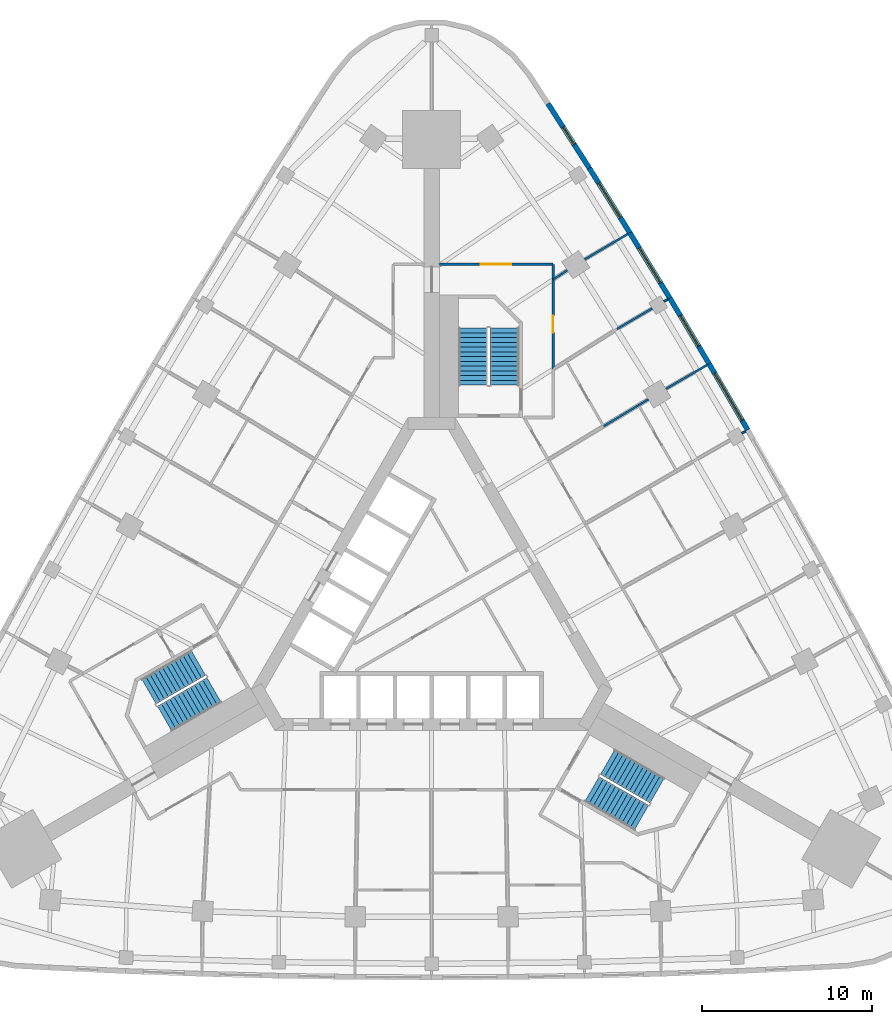
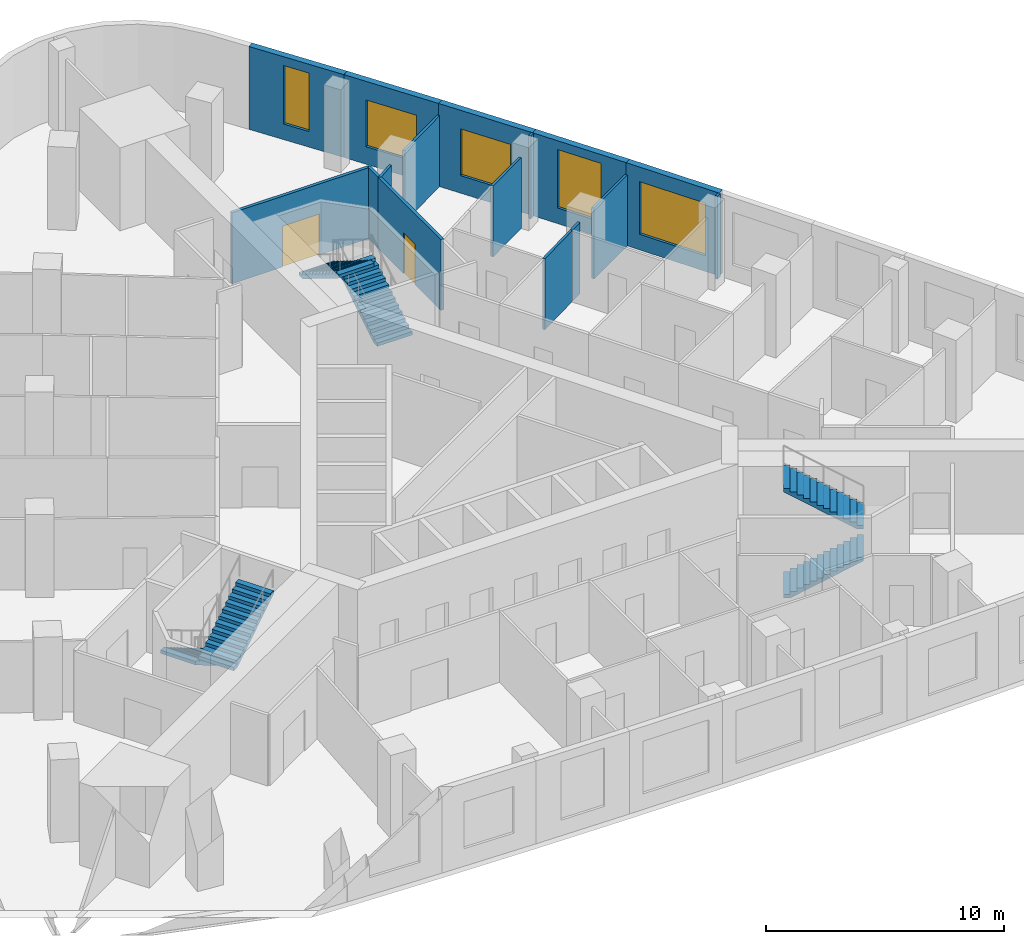
# One storey, part 10 of 11: 16 walls, 6 stair flights, 5 windows, 2 doors, 7 openings, 3 elements without a shape of their own.
"""IFC4 building model written with IfcOpenShell, lengths in metres."""

import ifcopenshell
import ifcopenshell.guid

model = None  # the IFC model being written
_history = None  # IfcOwnerHistory: only IFC2X3 demands one
_inside = {}  # id of a spatial element -> (the spatial element, [elements in it])
_under = {}  # id of a project, library or spatial element -> (it, [spatial elements below it])
_declared = {}  # id of a project -> (the project, [libraries it declares])
_typed = {}  # id of a type object -> (the type object, [elements of that type])
_made_of = {}  # id of a material, layer set ... -> (it, [elements and type objects made of it])


def new_model(schema):
    """Start an empty IFC model of exactly this schema.

    Asked for "IFC4X3", IfcOpenShell would pick the latest addendum, in which some entities
    have other attributes; the version numbers below select the first issue.
    IFC2X3 requires an IfcOwnerHistory on every rooted entity: one is made here for all.
    """
    global model, _history
    if schema == "IFC4X3":
        model = ifcopenshell.file(schema_version=(4, 3, 0, 0))
    else:
        model = ifcopenshell.file(schema=schema)
    _inside.clear()
    _under.clear()
    _declared.clear()
    _typed.clear()
    _made_of.clear()
    _history = None
    if model.schema == "IFC2X3":
        org = make("IfcOrganization", Name="unknown")
        user = make(
            "IfcPersonAndOrganization",
            ThePerson=make("IfcPerson", FamilyName="unknown"),
            TheOrganization=org,
        )
        app = make(
            "IfcApplication",
            ApplicationDeveloper=org,
            Version="unknown",
            ApplicationFullName="unknown",
            ApplicationIdentifier="unknown",
        )
        _history = make(
            "IfcOwnerHistory",
            OwningUser=user,
            OwningApplication=app,
            ChangeAction="ADDED",
            CreationDate=0,
        )
    return model


def make(cls, **values):
    """One entity of the class cls with the attributes given. An attribute that is None is left unset."""
    return model.create_entity(
        cls, **{name: value for name, value in values.items() if value is not None}
    )


def rooted(cls, **values):
    """An entity with a GlobalId (a new one), such as an element, a storey or a relation."""
    return make(cls, GlobalId=ifcopenshell.guid.new(), OwnerHistory=_history, **values)


def si_unit(unit_type, name, prefix=None):
    """IfcSIUnit, for example si_unit("LENGTHUNIT", "METRE", prefix="MILLI")."""
    return make("IfcSIUnit", UnitType=unit_type, Prefix=prefix, Name=name)


def assignment(units):
    """IfcUnitAssignment: the units of a project."""
    return None if units is None else make("IfcUnitAssignment", Units=units)


def point(xyz):
    """IfcCartesianPoint."""
    return None if xyz is None else make("IfcCartesianPoint", Coordinates=xyz)


def direction(xyz):
    """IfcDirection."""
    return None if xyz is None else make("IfcDirection", DirectionRatios=xyz)


def frame(location, z_axis=None, x_axis=None):
    """IfcAxis2Placement3D, a coordinate frame: its origin and axes. An axis left out is left unset."""
    return make(
        "IfcAxis2Placement3D",
        Location=point(location),
        Axis=direction(z_axis),
        RefDirection=direction(x_axis),
    )


def frame_2d(location, x_axis=None):
    """IfcAxis2Placement2D, a coordinate frame in the plane: its origin and x axis."""
    return make(
        "IfcAxis2Placement2D", Location=point(location), RefDirection=direction(x_axis)
    )


def origin():
    """The frame at (0, 0, 0) with its axes left unset."""
    return frame((0.0, 0.0, 0.0))


def place(relative_to, where):
    """IfcLocalPlacement: puts the frame where relative to a parent placement (None: the world)."""
    return make(
        "IfcLocalPlacement", PlacementRelTo=relative_to, RelativePlacement=where
    )


def context(
    kind, dimensions, precision=None, world=None, true_north=None, identifier=None
):
    """IfcGeometricRepresentationContext, for example the 3D "Model" context."""
    return make(
        "IfcGeometricRepresentationContext",
        ContextIdentifier=identifier,
        ContextType=kind,
        CoordinateSpaceDimension=dimensions,
        Precision=precision,
        WorldCoordinateSystem=world,
        TrueNorth=true_north,
    )


def subcontext(parent, identifier, kind, view, scale=None):
    """IfcGeometricRepresentationSubContext, for example "Body" below "Model"."""
    return make(
        "IfcGeometricRepresentationSubContext",
        ContextIdentifier=identifier,
        ContextType=kind,
        ParentContext=parent,
        TargetScale=scale,
        TargetView=view,
    )


def project(units=None, contexts=None):
    """IfcProject with its units and contexts."""
    return rooted(
        "IfcProject",
        Name="project",
        RepresentationContexts=contexts,
        UnitsInContext=assignment(units),
    )


def spatial(cls, under=None, at=None, **own):
    """A site, building, storey or space (cls), placed at a placement, below another one or the project."""
    s = rooted(cls, ObjectPlacement=at, **own)
    if under is not None:
        _under.setdefault(under.id(), (under, []))[1].append(s)
    return s


def polyline(points):
    """IfcPolyline through the points."""
    return make("IfcPolyline", Points=[point(p) for p in points])


def profile(cls, at=None, kind="AREA", **sizes):
    """A parametric profile (cls). Its sizes go by their IFC names, for example OverallWidth=200.0."""
    return make(cls, ProfileType=kind, Position=at, **sizes)


def rectangle(**sizes):
    """IfcRectangleProfileDef."""
    return profile("IfcRectangleProfileDef", **sizes)


def outline(outer, holes=None, kind="AREA"):
    """IfcArbitraryClosedProfileDef: a profile drawn as a closed curve; with holes, ...WithVoids."""
    if holes is None:
        return make("IfcArbitraryClosedProfileDef", ProfileType=kind, OuterCurve=outer)
    return make(
        "IfcArbitraryProfileDefWithVoids",
        ProfileType=kind,
        OuterCurve=outer,
        InnerCurves=holes,
    )


def extrude(swept, where, along, depth):
    """IfcExtrudedAreaSolid: the profile swept, set in the frame where, extruded along a direction by depth."""
    return make(
        "IfcExtrudedAreaSolid",
        SweptArea=swept,
        Position=where,
        ExtrudedDirection=direction(along),
        Depth=depth,
    )


def shape(context_of_items, identifier, shape_type, items):
    """IfcShapeRepresentation: the items that make up one representation, for example the "Body"."""
    return make(
        "IfcShapeRepresentation",
        ContextOfItems=context_of_items,
        RepresentationIdentifier=identifier,
        RepresentationType=shape_type,
        Items=items,
    )


def material(Name=None, Category=None):
    """IfcMaterial."""
    return make("IfcMaterial", Name=Name, Category=Category)


def layer(
    of_material, thickness, ventilated=None, Name=None, Category=None, Priority=None
):
    """IfcMaterialLayer: one layer of a wall or slab, of a material (None: an air gap)."""
    return make(
        "IfcMaterialLayer",
        Material=of_material,
        LayerThickness=thickness,
        IsVentilated=ventilated,
        Name=Name,
        Category=Category,
        Priority=Priority,
    )


def layer_set(layers, Name=None):
    """IfcMaterialLayerSet."""
    return make("IfcMaterialLayerSet", MaterialLayers=layers, LayerSetName=Name)


def made_of(thing, what):
    """Note that an element or type object is made of a material, layer set ...; save() writes the relation."""
    if what is not None:
        _made_of.setdefault(what.id(), (what, []))[1].append(thing)
    return thing


def type_object(cls, material=None, **own):
    """A type object (cls), such as IfcWallType, which elements share."""
    return made_of(rooted(cls, **own), material)


def element(
    cls,
    number,
    at=None,
    inside=None,
    cuts=None,
    type_object=None,
    material=None,
    context=None,
    identifier="Body",
    shape_type=None,
    held_by="IfcProductDefinitionShape",
    body=None,
    shapes=None,
    **own,
):
    """One element of the class cls, such as IfcWall. Its Tag is "e" and its number.

    at: its placement. inside: the storey or other place that contains it. cuts: it is an
    opening in that element (IfcRelVoidsElement). A single representation is given by context,
    identifier, shape_type and body (its items); several are given by shapes. held_by: the class
    of the entity that holds the representations. save() writes the other relations.
    """
    e = rooted(cls, Tag="e%d" % number, ObjectPlacement=at, **own)
    if body is not None:
        shapes = [shape(context, identifier, shape_type, body)]
    if shapes is not None:
        e.Representation = make(held_by, Representations=shapes)
    if inside is not None:
        _inside.setdefault(inside.id(), (inside, []))[1].append(e)
    if cuts is not None:
        rooted(
            "IfcRelVoidsElement", RelatingBuildingElement=cuts, RelatedOpeningElement=e
        )
    if type_object is not None:
        _typed.setdefault(type_object.id(), (type_object, []))[1].append(e)
    return made_of(e, material)


def fill(opening, filler):
    """IfcRelFillsElement: the door or window that sits in an opening."""
    return rooted(
        "IfcRelFillsElement",
        RelatingOpeningElement=opening,
        RelatedBuildingElement=filler,
    )


def aggregate(whole, parts):
    """IfcRelAggregates: a whole, such as a stair, and the parts it consists of."""
    return rooted("IfcRelAggregates", RelatingObject=whole, RelatedObjects=parts)


def save(model, path):
    """Write the relations noted so far, then the file.

    IfcRelAggregates (storeys below a building ...), IfcRelContainedInSpatialStructure (elements
    in a storey), IfcRelDefinesByType, IfcRelAssociatesMaterial and IfcRelDeclares: one each for
    every whole, place, type object, material and project.
    """
    for whole, parts in _under.values():
        aggregate(whole, parts)
    for where, things in _inside.values():
        rooted(
            "IfcRelContainedInSpatialStructure",
            RelatedElements=things,
            RelatingStructure=where,
        )
    for kind, things in _typed.values():
        rooted("IfcRelDefinesByType", RelatedObjects=things, RelatingType=kind)
    for what, things in _made_of.values():
        rooted("IfcRelAssociatesMaterial", RelatedObjects=things, RelatingMaterial=what)
    for by, libraries in _declared.values():
        rooted("IfcRelDeclares", RelatingContext=by, RelatedDefinitions=libraries)
    model.write(path)


model = new_model("IFC4")

# Units and contexts
model_context = context("Model", 3, precision=1e-05, world=origin(), true_north=direction((0.0, 1.0)))
body_context = subcontext(model_context, "Body", "Model", "MODEL_VIEW")
ifc_project = project(units=[si_unit("LENGTHUNIT", "METRE"), si_unit("AREAUNIT", "SQUARE_METRE"), si_unit("VOLUMEUNIT", "CUBIC_METRE"), si_unit("PLANEANGLEUNIT", "RADIAN"), si_unit("MASSUNIT", "GRAM", prefix="KILO")], contexts=[model_context])

# Site, building, storey
site_placement = place(None, origin())
site = spatial("IfcSite", under=ifc_project, at=site_placement, CompositionType="ELEMENT")
building_placement = place(site_placement, origin())
building = spatial("IfcBuilding", under=site, at=building_placement, Name="Noor Cloister Tower", CompositionType="ELEMENT")
storey_placement = place(building_placement, frame((0.0, 0.0, 10.5)))
storey = spatial("IfcBuildingStorey", under=building, at=storey_placement, Name="L02", CompositionType="ELEMENT", Elevation=10.5)

# Wall, opening, door
ifc_material_1 = material(Name="Plasterboard on steel studs", Category="steel")
ifc_layer_1 = layer(ifc_material_1, 0.14990234375)
ifc_layer_set_1 = layer_set([ifc_layer_1], Name="Corridor wall 150")
wall_type_1 = type_object("IfcWallType", Name="Corridor wall 150", PredefinedType="PARTITIONING", material=ifc_layer_set_1)
wall_1_placement = place(storey_placement, frame((7.135986328125, 14.297119140625, 0.0), z_axis=(0.0, 0.0, 1.0), x_axis=(0.0, 1.0, 0.0)))
wall_1 = element("IfcWall", 1, at=wall_1_placement, inside=storey, type_object=wall_type_1, Name="Partition", PredefinedType="PARTITIONING", context=body_context, shape_type="SweptSolid", body=[
    extrude(rectangle(XDim=5.265869140625, YDim=0.14990234375, at=frame_2d((2.6328125, 0.0))), origin(), (0.0, 0.0, 1.0), 3.637939453125),
])
opening_1_placement = place(wall_1_placement, frame((2.14990234375, 0.0, 0.0)))
opening_1 = element("IfcOpeningElement", 2, at=opening_1_placement, cuts=wall_1, Name="Opening L02-030", PredefinedType="OPENING", context=body_context, shape_type="SweptSolid", body=[
    extrude(rectangle(XDim=1.0, YDim=2.10009765625, at=frame_2d((0.5, 1.050048828125))), frame((0.0, 0.0849609375, 0.0), z_axis=(0.0, -1.0, 0.0), x_axis=(1.0, 0.0, 0.0)), (0.0, 0.0, 1.0), 0.169921875),
])
ifc_material_2 = material(Name="Timber door leaf", Category="wood")
door_type_1 = type_object("IfcDoorType", Name="Clinic room door 1000", OperationType="SINGLE_SWING_LEFT", PredefinedType="DOOR", material=ifc_material_2)
door_1_placement = place(opening_1_placement, origin())
door_1 = element("IfcDoor", 3, at=door_1_placement, inside=storey, type_object=door_type_1, Name="Door L02-030", OperationType="SINGLE_SWING_LEFT", OverallHeight=2.10009765625, OverallWidth=1.0, PredefinedType="DOOR", context=body_context, shape_type="SweptSolid", body=[
    extrude(rectangle(XDim=1.0, YDim=2.10009765625, at=frame_2d((0.5, 1.050048828125))), frame((0.0, 0.02490234375, 0.0), z_axis=(0.0, -1.0, 0.0), x_axis=(1.0, 0.0, 0.0)), (0.0, 0.0, 1.0), 0.050048828125),
])
fill(opening_1, door_1)

# Wall
ifc_material_3 = material(Name="Plasterboard on steel studs", Category="steel")
ifc_layer_2 = layer(ifc_material_3, 0.14990234375)
ifc_layer_set_2 = layer_set([ifc_layer_2], Name="Corridor wall 150 EI 60")
wall_type_2 = type_object("IfcWallType", Name="Corridor wall 150 EI 60", PredefinedType="PARTITIONING", material=ifc_layer_set_2)
wall_2_placement = place(storey_placement, frame((7.135986328125, 19.56298828125, 0.0), z_axis=(0.0, 0.0, 1.0), x_axis=(0.0, 1.0, 0.0)))
element("IfcWall", 4, at=wall_2_placement, inside=storey, type_object=wall_type_2, Name="Partition", PredefinedType="PARTITIONING", context=body_context, shape_type="SweptSolid", body=[
    extrude(rectangle(XDim=0.89306640625, YDim=0.14990234375, at=frame_2d((0.446533203125, 0.0))), origin(), (0.0, 0.0, 1.0), 3.637939453125),
])

# Wall, opening, door
wall_3_placement = place(storey_placement, frame((7.135986328125, 20.4560546875, 0.0), z_axis=(0.0, 0.0, 1.0), x_axis=(-1.0, 0.0, 0.0)))
wall_3 = element("IfcWall", 5, at=wall_3_placement, inside=storey, type_object=wall_type_2, Name="Partition", PredefinedType="PARTITIONING", context=body_context, shape_type="SweptSolid", body=[
    extrude(rectangle(XDim=6.68603515625, YDim=0.14990234375, at=frame_2d((3.343017578125, 0.0))), origin(), (0.0, 0.0, 1.0), 3.637939453125),
])
opening_2_placement = place(wall_3_placement, frame((2.449951171875, 0.0, 0.0)))
opening_2 = element("IfcOpeningElement", 6, at=opening_2_placement, cuts=wall_3, Name="Opening L02-032", PredefinedType="OPENING", context=body_context, shape_type="SweptSolid", body=[
    extrude(rectangle(XDim=1.800048828125, YDim=2.10009765625, at=frame_2d((0.89990234375, 1.050048828125))), frame((0.0, 0.0849609375, 0.0), z_axis=(0.0, -1.0, 0.0), x_axis=(1.0, 0.0, 0.0)), (0.0, 0.0, 1.0), 0.169921875),
])
ifc_material_4 = material(Name="Timber door leaf", Category="wood")
door_type_2 = type_object("IfcDoorType", Name="Double leaf door 1800 FD60", OperationType="DOUBLE_DOOR_SINGLE_SWING", PredefinedType="DOOR", material=ifc_material_4)
door_2_placement = place(opening_2_placement, origin())
door_2 = element("IfcDoor", 7, at=door_2_placement, inside=storey, type_object=door_type_2, Name="Door L02-032", OperationType="DOUBLE_DOOR_SINGLE_SWING", OverallHeight=2.10009765625, OverallWidth=1.800048828125, PredefinedType="DOOR", context=body_context, shape_type="SweptSolid", body=[
    extrude(rectangle(XDim=1.800048828125, YDim=2.10009765625, at=frame_2d((0.89990234375, 1.050048828125))), frame((0.0, 0.02490234375, 0.0), z_axis=(0.0, -1.0, 0.0), x_axis=(1.0, 0.0, 0.0)), (0.0, 0.0, 1.0), 0.050048828125),
])
fill(opening_2, door_2)

# Wall, opening, window
ifc_material_5 = material(Name="Limestone", Category="masonry")
ifc_layer_3 = layer(ifc_material_5, 0.300048828125)
ifc_layer_set_3 = layer_set([ifc_layer_3], Name="Limestone panel wall 300")
wall_type_3 = type_object("IfcWallType", Name="Limestone panel wall 300", PredefinedType="NOTDEFINED", material=ifc_layer_set_3)
wall_4_placement = place(storey_placement, frame((16.31396484375, 14.61181640625, 0.0), z_axis=(0.0, 0.0, 1.0), x_axis=(0.50445499627, -0.86343798662, 0.0)))
wall_4 = element("IfcWall", 8, at=wall_4_placement, inside=storey, type_object=wall_type_3, Name="Limestone wall L02 NE 6", PredefinedType="NOTDEFINED", context=body_context, shape_type="SweptSolid", body=[
    extrude(rectangle(XDim=4.49609375, YDim=0.300048828125, at=frame_2d((2.248046875, 0.0))), origin(), (0.0, 0.0, 1.0), 4.25),
])
opening_3_placement = place(wall_4_placement, frame((0.64794921875, 0.0, 0.800048828125)))
opening_3 = element("IfcOpeningElement", 9, at=opening_3_placement, cuts=wall_4, Name="Opening L02-W26", PredefinedType="OPENING", context=body_context, shape_type="SweptSolid", body=[
    extrude(rectangle(XDim=3.199951171875, YDim=2.699951171875, at=frame_2d((1.60009765625, 1.35009765625))), frame((0.0, 0.16015625, 0.0), z_axis=(0.0, -1.0, 0.0), x_axis=(1.0, 0.0, 0.0)), (0.0, 0.0, 1.0), 0.320068359375),
])
ifc_material_6 = material(Name="Aluminium 6063-T6 anodised", Category="aluminium")
window_type_1 = type_object("IfcWindowType", Name="Waiting room window 3200 x 2700", PartitioningType="TRIPLE_PANEL_VERTICAL", PredefinedType="WINDOW", material=ifc_material_6)
window_1_placement = place(opening_3_placement, origin())
window_1 = element("IfcWindow", 10, at=window_1_placement, inside=storey, type_object=window_type_1, Name="Window L02 26", OverallHeight=2.699951171875, OverallWidth=3.199951171875, PartitioningType="TRIPLE_PANEL_VERTICAL", PredefinedType="WINDOW", context=body_context, shape_type="SweptSolid", body=[
    extrude(rectangle(XDim=3.199951171875, YDim=2.699951171875, at=frame_2d((1.60009765625, 1.35009765625))), frame((0.0, 0.030029296875, 0.0), z_axis=(0.0, -1.0, 0.0), x_axis=(1.0, 0.0, 0.0)), (0.0, 0.0, 1.0), 0.06005859375),
])
fill(opening_3, window_1)

wall_5_placement = place(storey_placement, frame((14.005126953125, 18.472412109375, 0.0), z_axis=(0.0, 0.0, 1.0), x_axis=(0.513257465408, -0.858234684805, 0.0)))
wall_5 = element("IfcWall", 11, at=wall_5_placement, inside=storey, type_object=wall_type_3, Name="Limestone wall L02 NE 7", PredefinedType="NOTDEFINED", context=body_context, shape_type="SweptSolid", body=[
    extrude(rectangle(XDim=4.49609375, YDim=0.300048828125, at=frame_2d((2.248046875, 0.0))), origin(), (0.0, 0.0, 1.0), 4.25),
])
opening_4_placement = place(wall_5_placement, frame((1.197998046875, 0.0, 0.800048828125)))
opening_4 = element("IfcOpeningElement", 12, at=opening_4_placement, cuts=wall_5, Name="Opening L02-W27", PredefinedType="OPENING", context=body_context, shape_type="SweptSolid", body=[
    extrude(rectangle(XDim=2.10009765625, YDim=3.0, at=frame_2d((1.050048828125, 1.5))), frame((0.0, 0.16015625, 0.0), z_axis=(0.0, -1.0, 0.0), x_axis=(1.0, 0.0, 0.0)), (0.0, 0.0, 1.0), 0.320068359375),
])
ifc_material_7 = material(Name="Aluminium 6063-T6 anodised", Category="aluminium")
window_type_2 = type_object("IfcWindowType", Name="Therapy window 2100 x 3000", PartitioningType="DOUBLE_PANEL_HORIZONTAL", PredefinedType="WINDOW", material=ifc_material_7)
window_2_placement = place(opening_4_placement, origin())
window_2 = element("IfcWindow", 13, at=window_2_placement, inside=storey, type_object=window_type_2, Name="Window L02 27", OverallHeight=3.0, OverallWidth=2.10009765625, PartitioningType="DOUBLE_PANEL_HORIZONTAL", PredefinedType="WINDOW", context=body_context, shape_type="SweptSolid", body=[
    extrude(rectangle(XDim=2.10009765625, YDim=3.0, at=frame_2d((1.050048828125, 1.5))), frame((0.0, 0.030029296875, 0.0), z_axis=(0.0, -1.0, 0.0), x_axis=(1.0, 0.0, 0.0)), (0.0, 0.0, 1.0), 0.06005859375),
])
fill(opening_4, window_2)

wall_6_placement = place(storey_placement, frame((11.656494140625, 22.30908203125, 0.0), z_axis=(0.0, 0.0, 1.0), x_axis=(0.522078085402, -0.852897691838, 0.0)))
wall_6 = element("IfcWall", 14, at=wall_6_placement, inside=storey, type_object=wall_type_3, Name="Limestone wall L02 NE 8", PredefinedType="NOTDEFINED", context=body_context, shape_type="SweptSolid", body=[
    extrude(rectangle(XDim=4.495849609375, YDim=0.300048828125, at=frame_2d((2.248046875, 0.0))), origin(), (0.0, 0.0, 1.0), 4.25),
])
opening_5_placement = place(wall_6_placement, frame((1.048095703125, 0.0, 0.89990234375)))
opening_5 = element("IfcOpeningElement", 15, at=opening_5_placement, cuts=wall_6, Name="Opening L02-W28", PredefinedType="OPENING", context=body_context, shape_type="SweptSolid", body=[
    extrude(rectangle(XDim=2.39990234375, YDim=2.39990234375, at=frame_2d((1.199951171875, 1.199951171875))), frame((0.0, 0.16015625, 0.0), z_axis=(0.0, -1.0, 0.0), x_axis=(1.0, 0.0, 0.0)), (0.0, 0.0, 1.0), 0.320068359375),
])
ifc_material_8 = material(Name="Aluminium 6063-T6 anodised", Category="aluminium")
window_type_3 = type_object("IfcWindowType", Name="Clinic window 2400 x 2400", PartitioningType="DOUBLE_PANEL_VERTICAL", PredefinedType="WINDOW", material=ifc_material_8)
window_3_placement = place(opening_5_placement, origin())
window_3 = element("IfcWindow", 16, at=window_3_placement, inside=storey, type_object=window_type_3, Name="Window L02 28", OverallHeight=2.39990234375, OverallWidth=2.39990234375, PartitioningType="DOUBLE_PANEL_VERTICAL", PredefinedType="WINDOW", context=body_context, shape_type="SweptSolid", body=[
    extrude(rectangle(XDim=2.39990234375, YDim=2.39990234375, at=frame_2d((1.199951171875, 1.199951171875))), frame((0.0, 0.030029296875, 0.0), z_axis=(0.0, -1.0, 0.0), x_axis=(1.0, 0.0, 0.0)), (0.0, 0.0, 1.0), 0.06005859375),
])
fill(opening_5, window_3)

wall_7_placement = place(storey_placement, frame((9.268798828125, 26.12158203125, 0.0), z_axis=(0.0, 0.0, 1.0), x_axis=(0.530804082031, -0.847494558389, 0.0)))
wall_7 = element("IfcWall", 17, at=wall_7_placement, inside=storey, type_object=wall_type_3, Name="Limestone wall L02 NE 9", PredefinedType="NOTDEFINED", context=body_context, shape_type="SweptSolid", body=[
    extrude(rectangle(XDim=4.495849609375, YDim=0.300048828125, at=frame_2d((2.248046875, 0.0))), origin(), (0.0, 0.0, 1.0), 4.25),
])
opening_6_placement = place(wall_7_placement, frame((1.048095703125, 0.0, 0.89990234375)))
opening_6 = element("IfcOpeningElement", 18, at=opening_6_placement, cuts=wall_7, Name="Opening L02-W29", PredefinedType="OPENING", context=body_context, shape_type="SweptSolid", body=[
    extrude(rectangle(XDim=2.39990234375, YDim=2.39990234375, at=frame_2d((1.199951171875, 1.199951171875))), frame((0.0, 0.16015625, 0.0), z_axis=(0.0, -1.0, 0.0), x_axis=(1.0, 0.0, 0.0)), (0.0, 0.0, 1.0), 0.320068359375),
])
window_4_placement = place(opening_6_placement, origin())
window_4 = element("IfcWindow", 19, at=window_4_placement, inside=storey, type_object=window_type_3, Name="Window L02 29", OverallHeight=2.39990234375, OverallWidth=2.39990234375, PartitioningType="DOUBLE_PANEL_VERTICAL", PredefinedType="WINDOW", context=body_context, shape_type="SweptSolid", body=[
    extrude(rectangle(XDim=2.39990234375, YDim=2.39990234375, at=frame_2d((1.199951171875, 1.199951171875))), frame((0.0, 0.030029296875, 0.0), z_axis=(0.0, -1.0, 0.0), x_axis=(1.0, 0.0, 0.0)), (0.0, 0.0, 1.0), 0.06005859375),
])
fill(opening_6, window_4)

wall_8_placement = place(storey_placement, frame((6.842041015625, 29.9091796875, 0.0), z_axis=(0.0, 0.0, 1.0), x_axis=(0.539483537275, -0.841996147859, 0.0)))
wall_8 = element("IfcWall", 20, at=wall_8_placement, inside=storey, type_object=wall_type_3, Name="Limestone wall L02 NE 10", PredefinedType="NOTDEFINED", context=body_context, shape_type="SweptSolid", body=[
    extrude(rectangle(XDim=4.49609375, YDim=0.300048828125, at=frame_2d((2.248046875, 0.0))), origin(), (0.0, 0.0, 1.0), 4.25),
])
opening_7_placement = place(wall_8_placement, frame((1.64794921875, 0.0, 0.800048828125)))
opening_7 = element("IfcOpeningElement", 21, at=opening_7_placement, cuts=wall_8, Name="Opening L02-W30", PredefinedType="OPENING", context=body_context, shape_type="SweptSolid", body=[
    extrude(rectangle(XDim=1.199951171875, YDim=3.0, at=frame_2d((0.60009765625, 1.5))), frame((0.0, 0.16015625, 0.0), z_axis=(0.0, -1.0, 0.0), x_axis=(1.0, 0.0, 0.0)), (0.0, 0.0, 1.0), 0.320068359375),
])
ifc_material_9 = material(Name="Aluminium 6063-T6 anodised", Category="aluminium")
window_type_4 = type_object("IfcWindowType", Name="Lancet window 1200 x 3000", PartitioningType="SINGLE_PANEL", PredefinedType="WINDOW", material=ifc_material_9)
window_5_placement = place(opening_7_placement, origin())
window_5 = element("IfcWindow", 22, at=window_5_placement, inside=storey, type_object=window_type_4, Name="Window L02 30", OverallHeight=3.0, OverallWidth=1.199951171875, PartitioningType="SINGLE_PANEL", PredefinedType="WINDOW", context=body_context, shape_type="SweptSolid", body=[
    extrude(rectangle(XDim=1.199951171875, YDim=3.0, at=frame_2d((0.60009765625, 1.5))), frame((0.0, 0.030029296875, 0.0), z_axis=(0.0, -1.0, 0.0), x_axis=(1.0, 0.0, 0.0)), (0.0, 0.0, 1.0), 0.06005859375),
])
fill(opening_7, window_5)

# Walls
ifc_material_10 = material(Name="Plasterboard on steel studs", Category="steel")
ifc_layer_4 = layer(ifc_material_10, 0.1201171875)
ifc_layer_set_4 = layer_set([ifc_layer_4], Name="Partition wall 120")
wall_type_4 = type_object("IfcWallType", Name="Partition wall 120", PredefinedType="PARTITIONING", material=ifc_layer_set_4)
wall_9_placement = place(storey_placement, frame((18.4541015625, 10.653076171875, 0.0), z_axis=(0.0, 0.0, 1.0), x_axis=(-0.866558586415, -0.499075361355, 0.0)))
element("IfcWall", 23, at=wall_9_placement, inside=storey, type_object=wall_type_4, Name="Partition", PredefinedType="PARTITIONING", context=body_context, shape_type="SweptSolid", body=[
    extrude(rectangle(XDim=0.25048828125, YDim=0.1201171875, at=frame_2d((0.125244140625, 0.0))), origin(), (0.0, 0.0, 1.0), 4.25),
])
wall_10_placement = place(storey_placement, frame((12.1669921875, 12.180908203125, 0.0), z_axis=(0.0, 0.0, 1.0), x_axis=(-0.856602650019, -0.515976646739, 0.0)))
element("IfcWall", 24, at=wall_10_placement, inside=storey, type_object=wall_type_4, Name="Partition", PredefinedType="PARTITIONING", context=body_context, shape_type="SweptSolid", body=[
    extrude(rectangle(XDim=2.39892578125, YDim=0.1201171875, at=frame_2d((1.199462890625, 0.0))), origin(), (0.0, 0.0, 1.0), 3.637939453125),
])
wall_11_placement = place(storey_placement, frame((12.736083984375, 12.52392578125, 0.0), z_axis=(0.0, 0.0, 1.0), x_axis=(-0.856453764076, -0.516223740252, 0.0)))
element("IfcWall", 25, at=wall_11_placement, inside=storey, type_object=wall_type_4, Name="Partition", PredefinedType="PARTITIONING", context=body_context, shape_type="SweptSolid", body=[
    extrude(rectangle(XDim=0.66455078125, YDim=0.1201171875, at=frame_2d((0.332275390625, 0.0))), origin(), (0.0, 0.0, 1.0), 3.637939453125),
])
wall_12_placement = place(storey_placement, frame((16.18310546875, 14.5380859375, 0.0), z_axis=(0.0, 0.0, 1.0), x_axis=(-0.864576979504, -0.50250039454, 0.0)))
element("IfcWall", 26, at=wall_12_placement, inside=storey, type_object=wall_type_4, Name="Partition", PredefinedType="PARTITIONING", context=body_context, shape_type="SweptSolid", body=[
    extrude(rectangle(XDim=2.792236328125, YDim=0.1201171875, at=frame_2d((1.39599609375, 0.0))), origin(), (0.0, 0.0, 1.0), 3.633056640625),
])
wall_13_placement = place(storey_placement, frame((12.968017578125, 17.868896484375, 0.0), z_axis=(0.0, 0.0, 1.0), x_axis=(-0.863161652457, -0.504927679701, 0.0)))
element("IfcWall", 27, at=wall_13_placement, inside=storey, type_object=wall_type_4, Name="Partition", PredefinedType="PARTITIONING", context=body_context, shape_type="SweptSolid", body=[
    extrude(rectangle(XDim=2.398193359375, YDim=0.1201171875, at=frame_2d((1.19921875, 0.0))), origin(), (0.0, 0.0, 1.0), 3.637939453125),
])
wall_14_placement = place(storey_placement, frame((13.8740234375, 18.39892578125, 0.0), z_axis=(0.0, 0.0, 1.0), x_axis=(-0.863885093979, -0.503688936151, 0.0)))
element("IfcWall", 28, at=wall_14_placement, inside=storey, type_object=wall_type_4, Name="Partition", PredefinedType="PARTITIONING", context=body_context, shape_type="SweptSolid", body=[
    extrude(rectangle(XDim=0.25, YDim=0.1201171875, at=frame_2d((0.125, 0.0))), origin(), (0.0, 0.0, 1.0), 4.25),
])
ifc_material_11 = material(Name="Plasterboard on steel studs", Category="steel")
ifc_layer_5 = layer(ifc_material_11, 0.1201171875)
ifc_layer_set_5 = layer_set([ifc_layer_5], Name="Partition wall 120 EI 60")
wall_type_5 = type_object("IfcWallType", Name="Partition wall 120 EI 60", PredefinedType="PARTITIONING", material=ifc_layer_set_5)
wall_15_placement = place(storey_placement, frame((7.972900390625, 20.10888671875, 0.0), z_axis=(0.0, 0.0, 1.0), x_axis=(-0.836986858992, -0.547222987341, 0.0)))
element("IfcWall", 29, at=wall_15_placement, inside=storey, type_object=wall_type_5, Name="Partition", PredefinedType="PARTITIONING", context=body_context, shape_type="SweptSolid", body=[
    extrude(rectangle(XDim=0.99755859375, YDim=0.1201171875, at=frame_2d((0.498779296875, 0.0))), origin(), (0.0, 0.0, 1.0), 3.637939453125),
])
wall_16_placement = place(storey_placement, frame((11.52392578125, 22.237060546875, 0.0), z_axis=(0.0, 0.0, 1.0), x_axis=(-0.861228913487, -0.508217235613, 0.0)))
element("IfcWall", 30, at=wall_16_placement, inside=storey, type_object=wall_type_5, Name="Partition", PredefinedType="PARTITIONING", context=body_context, shape_type="SweptSolid", body=[
    extrude(rectangle(XDim=2.93994140625, YDim=0.1201171875, at=frame_2d((1.469970703125, 0.0))), origin(), (0.0, 0.0, 1.0), 3.633056640625),
])

# Stair, stair flights
ifc_material_12 = material(Name="Concrete C40/50", Category="concrete")
stair_type = type_object("IfcStairType", Name="Exit stair 26 risers", PredefinedType="HALF_TURN_STAIR", material=ifc_material_12)
stair_1_placement = place(storey_placement, origin())
stair_1 = element("IfcStair", 31, at=stair_1_placement, inside=storey, type_object=stair_type, Name="Exit stair ST1 L02", PredefinedType="HALF_TURN_STAIR")
ifc_material_13 = material(Name="Concrete C40/50", Category="concrete")
stair_flight_type = type_object("IfcStairFlightType", Name="Exit stair flight", PredefinedType="STRAIGHT", material=ifc_material_13)
stair_flight_1_placement = place(storey_placement, frame((4.28564453125, 13.3564453125, 0.0), z_axis=(0.0, 0.0, 1.0), x_axis=(0.0, 1.0, 0.0)))
stair_flight_1 = element("IfcStairFlight", 32, at=stair_flight_1_placement, type_object=stair_flight_type, Name="ST1 flight 1", NumberOfRisers=13, NumberOfTreads=12, PredefinedType="STRAIGHT", RiserHeight=0.173076923, TreadLength=0.28, context=body_context, shape_type="SweptSolid", body=[
    extrude(outline(polyline([(0.0, 0.0), (0.0, 0.173095703125), (0.280029296875, 0.173095703125), (0.280029296875, 0.34619140625), (0.56005859375, 0.34619140625), (0.56005859375, 0.519287109375), (0.840087890625, 0.519287109375), (0.840087890625, 0.6923828125), (1.1201171875, 0.6923828125), (1.1201171875, 0.865478515625), (1.39990234375, 0.865478515625), (1.39990234375, 1.03857421875), (1.679931640625, 1.03857421875), (1.679931640625, 1.21142578125), (1.9599609375, 1.21142578125), (1.9599609375, 1.384521484375), (2.239990234375, 1.384521484375), (2.239990234375, 1.5576171875), (2.52001953125, 1.5576171875), (2.52001953125, 1.730712890625), (2.800048828125, 1.730712890625), (2.800048828125, 1.90380859375), (3.080078125, 1.90380859375), (3.080078125, 2.076904296875), (3.360107421875, 2.076904296875), (3.360107421875, 2.25), (3.360107421875, 1.900634765625), (0.28515625, 0.0), (0.0, 0.0)])), frame((0.0, 0.85009765625, 0.0), z_axis=(0.0, -1.0, 0.0), x_axis=(1.0, 0.0, 0.0)), (0.0, 0.0, 1.0), 1.699951171875),
])
stair_flight_2_placement = place(storey_placement, frame((2.435546875, 16.71630859375, 2.25), z_axis=(0.0, 0.0, 1.0), x_axis=(0.0, -1.0, 0.0)))
stair_flight_2 = element("IfcStairFlight", 33, at=stair_flight_2_placement, type_object=stair_flight_type, Name="ST1 flight 2", NumberOfRisers=13, NumberOfTreads=12, PredefinedType="STRAIGHT", RiserHeight=0.173076923, TreadLength=0.28, context=body_context, shape_type="SweptSolid", body=[
    extrude(outline(polyline([(0.0, 0.0), (0.0, 0.173095703125), (0.280029296875, 0.173095703125), (0.280029296875, 0.34619140625), (0.56005859375, 0.34619140625), (0.56005859375, 0.519287109375), (0.840087890625, 0.519287109375), (0.840087890625, 0.6923828125), (1.1201171875, 0.6923828125), (1.1201171875, 0.865478515625), (1.39990234375, 0.865478515625), (1.39990234375, 1.03857421875), (1.679931640625, 1.03857421875), (1.679931640625, 1.21142578125), (1.9599609375, 1.21142578125), (1.9599609375, 1.384521484375), (2.239990234375, 1.384521484375), (2.239990234375, 1.5576171875), (2.52001953125, 1.5576171875), (2.52001953125, 1.730712890625), (2.800048828125, 1.730712890625), (2.800048828125, 1.90380859375), (3.080078125, 1.90380859375), (3.080078125, 2.076904296875), (3.360107421875, 2.076904296875), (3.360107421875, 2.25), (3.360107421875, 1.900634765625), (0.28515625, 0.0), (0.0, 0.0)])), frame((0.0, 0.85009765625, 0.0), z_axis=(0.0, -1.0, 0.0), x_axis=(1.0, 0.0, 0.0)), (0.0, 0.0, 1.0), 1.699951171875),
])
aggregate(stair_1, [stair_flight_1, stair_flight_2])

stair_2_placement = place(storey_placement, origin())
stair_2 = element("IfcStair", 34, at=stair_2_placement, inside=storey, type_object=stair_type, Name="Exit stair ST2 L02", PredefinedType="HALF_TURN_STAIR")
stair_flight_3_placement = place(storey_placement, frame((-13.709716796875, -2.966796875, 0.0), z_axis=(0.0, 0.0, 1.0), x_axis=(-0.866025403784, -0.5, 0.0)))
stair_flight_3 = element("IfcStairFlight", 35, at=stair_flight_3_placement, type_object=stair_flight_type, Name="ST2 flight 1", NumberOfRisers=13, NumberOfTreads=12, PredefinedType="STRAIGHT", RiserHeight=0.173076923, TreadLength=0.28, context=body_context, shape_type="SweptSolid", body=[
    extrude(outline(polyline([(0.0, 0.0), (0.0, 0.173095703125), (0.280029296875, 0.173095703125), (0.280029296875, 0.34619140625), (0.56005859375, 0.34619140625), (0.56005859375, 0.519287109375), (0.840087890625, 0.519287109375), (0.840087890625, 0.6923828125), (1.1201171875, 0.6923828125), (1.1201171875, 0.865478515625), (1.39990234375, 0.865478515625), (1.39990234375, 1.03857421875), (1.679931640625, 1.03857421875), (1.679931640625, 1.21142578125), (1.9599609375, 1.21142578125), (1.9599609375, 1.384521484375), (2.239990234375, 1.384521484375), (2.239990234375, 1.5576171875), (2.52001953125, 1.5576171875), (2.52001953125, 1.730712890625), (2.800048828125, 1.730712890625), (2.800048828125, 1.90380859375), (3.080078125, 1.90380859375), (3.080078125, 2.076904296875), (3.360107421875, 2.076904296875), (3.360107421875, 2.25), (3.360107421875, 1.900634765625), (0.28515625, 0.0), (0.0, 0.0)])), frame((0.0, 0.85009765625, 0.0), z_axis=(0.0, -1.0, 0.0), x_axis=(1.0, 0.0, 0.0)), (0.0, 0.0, 1.0), 1.699951171875),
])
stair_flight_4_placement = place(storey_placement, frame((-15.694580078125, -6.248779296875, 2.25), z_axis=(0.0, 0.0, 1.0), x_axis=(0.866025403784, 0.5, 0.0)))
stair_flight_4 = element("IfcStairFlight", 36, at=stair_flight_4_placement, type_object=stair_flight_type, Name="ST2 flight 2", NumberOfRisers=13, NumberOfTreads=12, PredefinedType="STRAIGHT", RiserHeight=0.173076923, TreadLength=0.28, context=body_context, shape_type="SweptSolid", body=[
    extrude(outline(polyline([(0.0, 0.0), (0.0, 0.173095703125), (0.280029296875, 0.173095703125), (0.280029296875, 0.34619140625), (0.56005859375, 0.34619140625), (0.56005859375, 0.519287109375), (0.840087890625, 0.519287109375), (0.840087890625, 0.6923828125), (1.1201171875, 0.6923828125), (1.1201171875, 0.865478515625), (1.39990234375, 0.865478515625), (1.39990234375, 1.03857421875), (1.679931640625, 1.03857421875), (1.679931640625, 1.21142578125), (1.9599609375, 1.21142578125), (1.9599609375, 1.384521484375), (2.239990234375, 1.384521484375), (2.239990234375, 1.5576171875), (2.52001953125, 1.5576171875), (2.52001953125, 1.730712890625), (2.800048828125, 1.730712890625), (2.800048828125, 1.90380859375), (3.080078125, 1.90380859375), (3.080078125, 2.076904296875), (3.360107421875, 2.076904296875), (3.360107421875, 2.25), (3.360107421875, 1.900634765625), (0.28515625, 0.0), (0.0, 0.0)])), frame((0.0, 0.85009765625, 0.0), z_axis=(0.0, -1.0, 0.0), x_axis=(1.0, 0.0, 0.0)), (0.0, 0.0, 1.0), 1.699951171875),
])
aggregate(stair_2, [stair_flight_3, stair_flight_4])

stair_3_placement = place(storey_placement, origin())
stair_3 = element("IfcStair", 37, at=stair_3_placement, inside=storey, type_object=stair_type, Name="Exit stair ST3 L02", PredefinedType="HALF_TURN_STAIR")
stair_flight_5_placement = place(storey_placement, frame((9.424072265625, -10.3896484375, 0.0), z_axis=(0.0, 0.0, 1.0), x_axis=(0.866025403784, -0.5, 0.0)))
stair_flight_5 = element("IfcStairFlight", 38, at=stair_flight_5_placement, type_object=stair_flight_type, Name="ST3 flight 1", NumberOfRisers=13, NumberOfTreads=12, PredefinedType="STRAIGHT", RiserHeight=0.173076923, TreadLength=0.28, context=body_context, shape_type="SweptSolid", body=[
    extrude(outline(polyline([(0.0, 0.0), (0.0, 0.173095703125), (0.280029296875, 0.173095703125), (0.280029296875, 0.34619140625), (0.56005859375, 0.34619140625), (0.56005859375, 0.519287109375), (0.840087890625, 0.519287109375), (0.840087890625, 0.6923828125), (1.1201171875, 0.6923828125), (1.1201171875, 0.865478515625), (1.39990234375, 0.865478515625), (1.39990234375, 1.03857421875), (1.679931640625, 1.03857421875), (1.679931640625, 1.21142578125), (1.9599609375, 1.21142578125), (1.9599609375, 1.384521484375), (2.239990234375, 1.384521484375), (2.239990234375, 1.5576171875), (2.52001953125, 1.5576171875), (2.52001953125, 1.730712890625), (2.800048828125, 1.730712890625), (2.800048828125, 1.90380859375), (3.080078125, 1.90380859375), (3.080078125, 2.076904296875), (3.360107421875, 2.076904296875), (3.360107421875, 2.25), (3.360107421875, 1.900634765625), (0.28515625, 0.0), (0.0, 0.0)])), frame((0.0, 0.85009765625, 0.0), z_axis=(0.0, -1.0, 0.0), x_axis=(1.0, 0.0, 0.0)), (0.0, 0.0, 1.0), 1.699951171875),
])
stair_flight_6_placement = place(storey_placement, frame((13.259033203125, -10.467529296875, 2.25), z_axis=(0.0, 0.0, 1.0), x_axis=(-0.866025403784, 0.5, 0.0)))
stair_flight_6 = element("IfcStairFlight", 39, at=stair_flight_6_placement, type_object=stair_flight_type, Name="ST3 flight 2", NumberOfRisers=13, NumberOfTreads=12, PredefinedType="STRAIGHT", RiserHeight=0.173076923, TreadLength=0.28, context=body_context, shape_type="SweptSolid", body=[
    extrude(outline(polyline([(0.0, 0.0), (0.0, 0.173095703125), (0.280029296875, 0.173095703125), (0.280029296875, 0.34619140625), (0.56005859375, 0.34619140625), (0.56005859375, 0.519287109375), (0.840087890625, 0.519287109375), (0.840087890625, 0.6923828125), (1.1201171875, 0.6923828125), (1.1201171875, 0.865478515625), (1.39990234375, 0.865478515625), (1.39990234375, 1.03857421875), (1.679931640625, 1.03857421875), (1.679931640625, 1.21142578125), (1.9599609375, 1.21142578125), (1.9599609375, 1.384521484375), (2.239990234375, 1.384521484375), (2.239990234375, 1.5576171875), (2.52001953125, 1.5576171875), (2.52001953125, 1.730712890625), (2.800048828125, 1.730712890625), (2.800048828125, 1.90380859375), (3.080078125, 1.90380859375), (3.080078125, 2.076904296875), (3.360107421875, 2.076904296875), (3.360107421875, 2.25), (3.360107421875, 1.900634765625), (0.28515625, 0.0), (0.0, 0.0)])), frame((0.0, 0.85009765625, 0.0), z_axis=(0.0, -1.0, 0.0), x_axis=(1.0, 0.0, 0.0)), (0.0, 0.0, 1.0), 1.699951171875),
])
aggregate(stair_3, [stair_flight_5, stair_flight_6])

save(model, "model.ifc")
